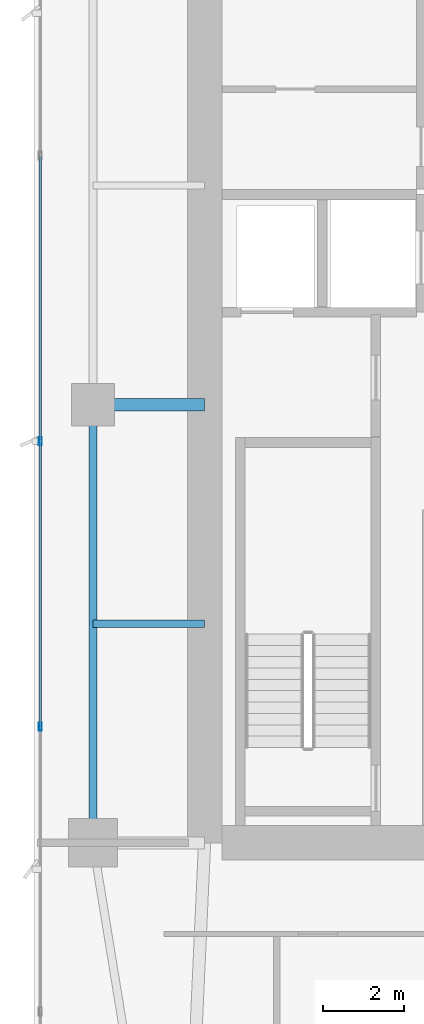
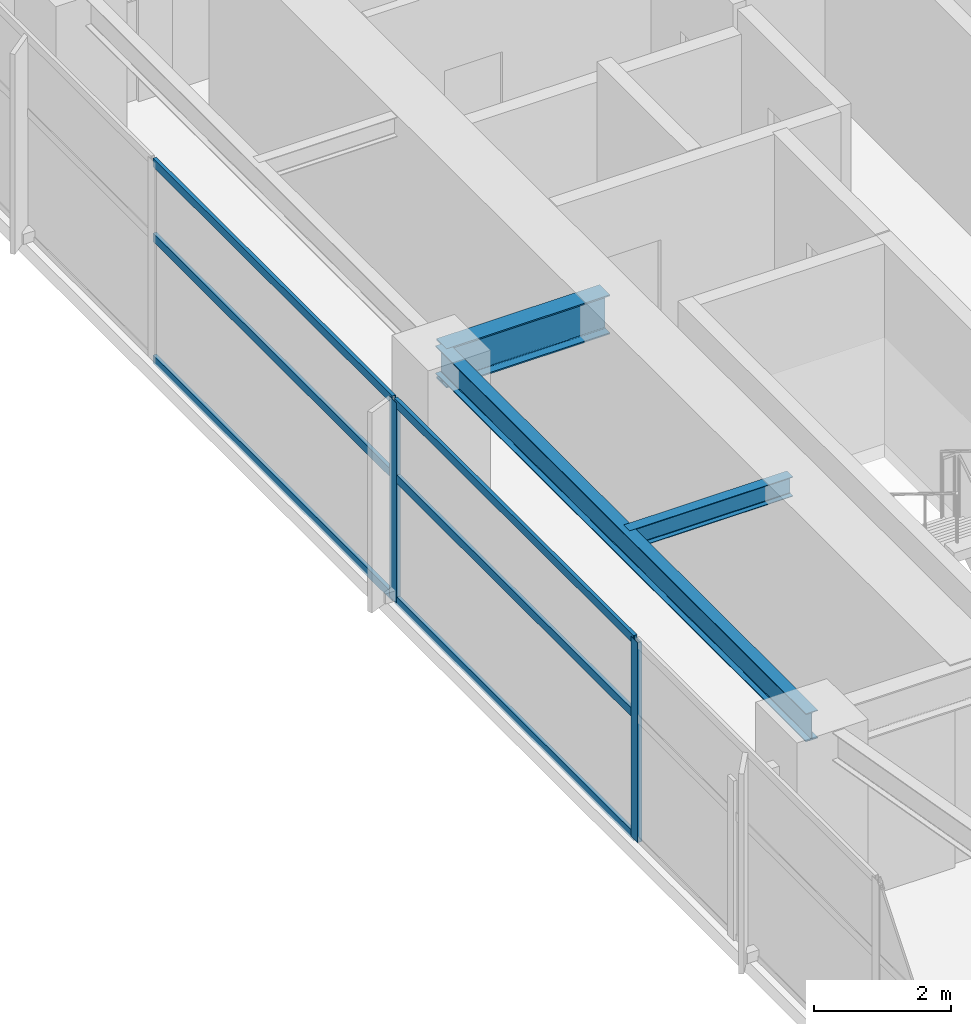
# One storey, part 8 of 28: 8 members, 3 beams, 1 element without a shape of its own.
"""IFC4 building model written with IfcOpenShell, lengths in metres."""

from ifc_helpers import new_model, si_unit, direction, frame, origin, origin_2d, place, context, subcontext, project, spatial, hollow_rectangle, i_section, extrude, material, layer, layer_set, material_profile, profile_set, type_object, element, aggregate, save


model = new_model("IFC4")

# Units and contexts
model_context = context("Model", 3, precision=1e-05, world=origin(), true_north=direction((0.0, 1.0)))
body_context = subcontext(model_context, "Body", "Model", "MODEL_VIEW")
ifc_project = project(units=[si_unit("LENGTHUNIT", "METRE"), si_unit("AREAUNIT", "SQUARE_METRE"), si_unit("VOLUMEUNIT", "CUBIC_METRE"), si_unit("PLANEANGLEUNIT", "RADIAN"), si_unit("MASSUNIT", "GRAM", prefix="KILO")], contexts=[model_context])

# Site, building, storey
site_placement = place(None, origin())
site = spatial("IfcSite", under=ifc_project, at=site_placement, CompositionType="ELEMENT")
building_placement = place(site_placement, origin())
building = spatial("IfcBuilding", under=site, at=building_placement, Name="Calvorn Quay Hotel", CompositionType="ELEMENT")
storey_placement = place(building_placement, frame((0.0, 0.0, 131.60009765625)))
storey = spatial("IfcBuildingStorey", under=building, at=storey_placement, Name="L32", CompositionType="ELEMENT", Elevation=131.60009765625)

# Beams
ifc_material_1 = material(Name="Steel Q390GJC", Category="steel")
ifc_material_profile_1 = material_profile(ifc_material_1, i_section(OverallWidth=0.300048828125, OverallDepth=0.699951171875, WebThickness=0.012939453125, FlangeThickness=0.02392578125, FilletRadius=0.02392578125, at=origin_2d()), Name="HN700x300x13x24")
ifc_profile_set_1 = profile_set([ifc_material_profile_1], Name="Steel Q390GJC")
beam_type_1 = type_object("IfcBeamType", Name="BM-GIRD-MAIN", PredefinedType="BEAM", material=ifc_profile_set_1)
beam_1_placement = place(storey_placement, frame((1.449951171875, 27.60009765625, 3.18994140625), z_axis=(1.0, 0.0, 0.0), x_axis=(0.0, 1.0, 0.0)))
element("IfcBeam", 1, at=beam_1_placement, inside=storey, type_object=beam_type_1, Name="Beam BG-L32-W2", PredefinedType="BEAM", context=body_context, shape_type="SweptSolid", body=[
    extrude(i_section(OverallWidth=0.300048828125, OverallDepth=0.699951171875, WebThickness=0.012939453125, FlangeThickness=0.02392578125, FilletRadius=0.02392578125, at=origin_2d()), origin(), (0.0, 0.0, 1.0), 2.75),
])
ifc_material_2 = material(Name="Steel Q355B", Category="steel")
ifc_material_profile_2 = material_profile(ifc_material_2, i_section(OverallWidth=0.175048828125, OverallDepth=0.35009765625, WebThickness=0.007080078125, FlangeThickness=0.010986328125, FilletRadius=0.013916015625, at=origin_2d()), Name="HN350x175x7x11")
ifc_profile_set_2 = profile_set([ifc_material_profile_2], Name="Steel Q355B")
beam_type_2 = type_object("IfcBeamType", Name="BM-JOIST-SEC", PredefinedType="JOIST", material=ifc_profile_set_2)
beam_2_placement = place(storey_placement, frame((1.449951171875, 22.199951171875, 3.364990234375), z_axis=(1.0, 0.0, 0.0), x_axis=(0.0, 1.0, 0.0)))
element("IfcBeam", 2, at=beam_2_placement, inside=storey, type_object=beam_type_2, Name="Beam BJ-L32-W3", PredefinedType="JOIST", context=body_context, shape_type="SweptSolid", body=[
    extrude(i_section(OverallWidth=0.175048828125, OverallDepth=0.35009765625, WebThickness=0.007080078125, FlangeThickness=0.010986328125, FilletRadius=0.013916015625, at=origin_2d()), origin(), (0.0, 0.0, 1.0), 2.75),
])
ifc_material_3 = material(Name="Steel Q355B", Category="steel")
ifc_material_profile_3 = material_profile(ifc_material_3, i_section(OverallWidth=0.199951171875, OverallDepth=0.5, WebThickness=0.010009765625, FlangeThickness=0.01611328125, FilletRadius=0.01611328125, at=origin_2d()), Name="HN500x200x10x16")
ifc_profile_set_3 = profile_set([ifc_material_profile_3], Name="Steel Q355B")
beam_type_3 = type_object("IfcBeamType", Name="BM-SPANDREL-Z1", PredefinedType="SPANDREL", material=ifc_profile_set_3)
beam_3_placement = place(storey_placement, frame((1.449951171875, 16.800048828125, 3.289794921875), z_axis=(0.0, 1.0, 0.0), x_axis=(-1.0, 0.0, 0.0)))
element("IfcBeam", 3, at=beam_3_placement, inside=storey, type_object=beam_type_3, Name="Beam BSP-L32-W2", PredefinedType="SPANDREL", context=body_context, shape_type="SweptSolid", body=[
    extrude(i_section(OverallWidth=0.199951171875, OverallDepth=0.5, WebThickness=0.010009765625, FlangeThickness=0.01611328125, FilletRadius=0.01611328125, at=origin_2d()), origin(), (0.0, 0.0, 1.0), 10.800048828125),
])

# Curtain wall, members
ifc_material_4 = material(Name="Pale Anodised Aluminium and Low-E Glass", Category="aluminium")
ifc_layer = layer(ifc_material_4, 0.219970703125)
ifc_layer_set = layer_set([ifc_layer], Name="CW-SYS-Z2")
curtain_wall_type = type_object("IfcCurtainWallType", Name="CW-SYS-Z2", PredefinedType="NOTDEFINED", material=ifc_layer_set)
curtain_wall_placement = place(storey_placement, origin())
curtain_wall = element("IfcCurtainWall", 4, at=curtain_wall_placement, inside=storey, type_object=curtain_wall_type, Name="Tower West Curtain Wall (L32)", PredefinedType="NOTDEFINED")
ifc_material_5 = material(Name="Pale Anodised Aluminium 6063-T6", Category="aluminium")
ifc_material_profile_4 = material_profile(ifc_material_5, hollow_rectangle(XDim=0.070068359375, YDim=0.199951171875, WallThickness=0.00390625, at=origin_2d()), Name="ALU-M200x70x4")
ifc_profile_set_4 = profile_set([ifc_material_profile_4], Name="Pale Anodised Aluminium 6063-T6")
member_type_1 = type_object("IfcMemberType", Name="CW-SYS-Z2-MUL", PredefinedType="MULLION", material=ifc_profile_set_4)
member_1_placement = place(storey_placement, frame((0.14990234375, 19.666748046875, 0.0), z_axis=(0.0, 0.0, 1.0), x_axis=(-1.0, 0.0, 0.0)))
member_1 = element("IfcMember", 5, at=member_1_placement, type_object=member_type_1, Name="CW-L32-W mullion 3", PredefinedType="MULLION", context=body_context, shape_type="SweptSolid", body=[
    extrude(hollow_rectangle(XDim=0.070068359375, YDim=0.199951171875, WallThickness=0.00390625, at=origin_2d()), origin(), (0.0, 0.0, 1.0), 3.559814453125),
])
member_2_placement = place(storey_placement, frame((0.14990234375, 26.699951171875, 0.0), z_axis=(0.0, 0.0, 1.0), x_axis=(-1.0, 0.0, 0.0)))
member_2 = element("IfcMember", 6, at=member_2_placement, type_object=member_type_1, Name="CW-L32-W mullion 4", PredefinedType="MULLION", context=body_context, shape_type="SweptSolid", body=[
    extrude(hollow_rectangle(XDim=0.070068359375, YDim=0.199951171875, WallThickness=0.00390625, at=origin_2d()), origin(), (0.0, 0.0, 1.0), 3.559814453125),
])
ifc_material_6 = material(Name="Pale Anodised Aluminium 6063-T6", Category="aluminium")
ifc_material_profile_5 = material_profile(ifc_material_6, hollow_rectangle(XDim=0.06005859375, YDim=0.14990234375, WallThickness=0.00341796875, at=origin_2d()), Name="ALU-T150x60x3.5")
ifc_profile_set_5 = profile_set([ifc_material_profile_5], Name="Pale Anodised Aluminium 6063-T6")
member_type_2 = type_object("IfcMemberType", Name="CW-SYS-Z2-TRN", PredefinedType="USERDEFINED", material=ifc_profile_set_5)
member_3_placement = place(storey_placement, frame((0.14990234375, 19.69677734375, 0.02978515625), z_axis=(0.0, 1.0, 0.0), x_axis=(-1.0, 0.0, 0.0)))
member_3 = element("IfcMember", 7, at=member_3_placement, type_object=member_type_2, Name="CW-L32-W transom 3.1", ObjectType="TRANSOM", PredefinedType="USERDEFINED", context=body_context, shape_type="SweptSolid", body=[
    extrude(hollow_rectangle(XDim=0.06005859375, YDim=0.14990234375, WallThickness=0.00341796875, at=origin_2d()), origin(), (0.0, 0.0, 1.0), 6.97314453125),
])
member_4_placement = place(storey_placement, frame((0.14990234375, 19.69677734375, 2.199951171875), z_axis=(0.0, 1.0, 0.0), x_axis=(-1.0, 0.0, 0.0)))
member_4 = element("IfcMember", 8, at=member_4_placement, type_object=member_type_2, Name="CW-L32-W transom 3.2", ObjectType="TRANSOM", PredefinedType="USERDEFINED", context=body_context, shape_type="SweptSolid", body=[
    extrude(hollow_rectangle(XDim=0.06005859375, YDim=0.14990234375, WallThickness=0.00341796875, at=origin_2d()), origin(), (0.0, 0.0, 1.0), 6.97314453125),
])
member_5_placement = place(storey_placement, frame((0.14990234375, 19.69677734375, 3.52978515625), z_axis=(0.0, 1.0, 0.0), x_axis=(-1.0, 0.0, 0.0)))
member_5 = element("IfcMember", 9, at=member_5_placement, type_object=member_type_2, Name="CW-L32-W transom 3.3", ObjectType="TRANSOM", PredefinedType="USERDEFINED", context=body_context, shape_type="SweptSolid", body=[
    extrude(hollow_rectangle(XDim=0.06005859375, YDim=0.14990234375, WallThickness=0.00341796875, at=origin_2d()), origin(), (0.0, 0.0, 1.0), 6.97314453125),
])
member_6_placement = place(storey_placement, frame((0.14990234375, 26.72998046875, 0.02978515625), z_axis=(0.0, 1.0, 0.0), x_axis=(-1.0, 0.0, 0.0)))
member_6 = element("IfcMember", 10, at=member_6_placement, type_object=member_type_2, Name="CW-L32-W transom 4.1", ObjectType="TRANSOM", PredefinedType="USERDEFINED", context=body_context, shape_type="SweptSolid", body=[
    extrude(hollow_rectangle(XDim=0.06005859375, YDim=0.14990234375, WallThickness=0.00341796875, at=origin_2d()), origin(), (0.0, 0.0, 1.0), 6.973388671875),
])
member_7_placement = place(storey_placement, frame((0.14990234375, 26.72998046875, 2.199951171875), z_axis=(0.0, 1.0, 0.0), x_axis=(-1.0, 0.0, 0.0)))
member_7 = element("IfcMember", 11, at=member_7_placement, type_object=member_type_2, Name="CW-L32-W transom 4.2", ObjectType="TRANSOM", PredefinedType="USERDEFINED", context=body_context, shape_type="SweptSolid", body=[
    extrude(hollow_rectangle(XDim=0.06005859375, YDim=0.14990234375, WallThickness=0.00341796875, at=origin_2d()), origin(), (0.0, 0.0, 1.0), 6.973388671875),
])
member_8_placement = place(storey_placement, frame((0.14990234375, 26.72998046875, 3.52978515625), z_axis=(0.0, 1.0, 0.0), x_axis=(-1.0, 0.0, 0.0)))
member_8 = element("IfcMember", 12, at=member_8_placement, type_object=member_type_2, Name="CW-L32-W transom 4.3", ObjectType="TRANSOM", PredefinedType="USERDEFINED", context=body_context, shape_type="SweptSolid", body=[
    extrude(hollow_rectangle(XDim=0.06005859375, YDim=0.14990234375, WallThickness=0.00341796875, at=origin_2d()), origin(), (0.0, 0.0, 1.0), 6.973388671875),
])
aggregate(curtain_wall, [member_1, member_2, member_3, member_4, member_5, member_6, member_7, member_8])

save(model, "model.ifc")
